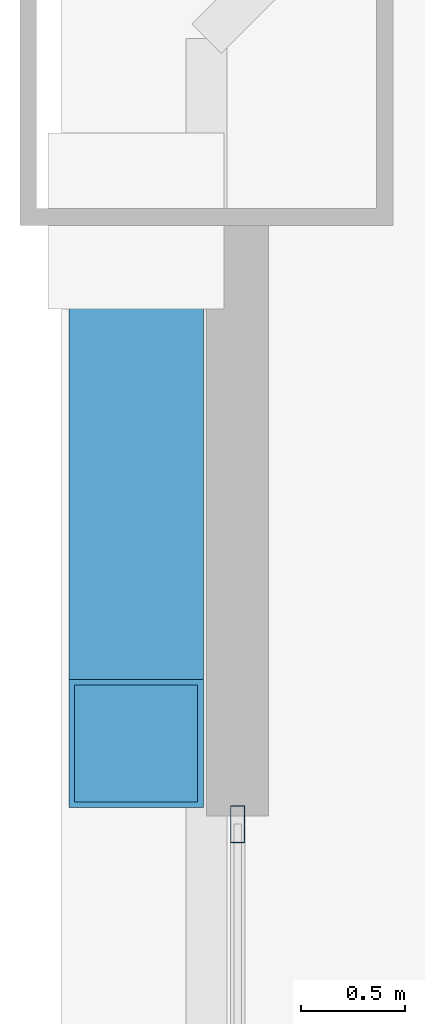
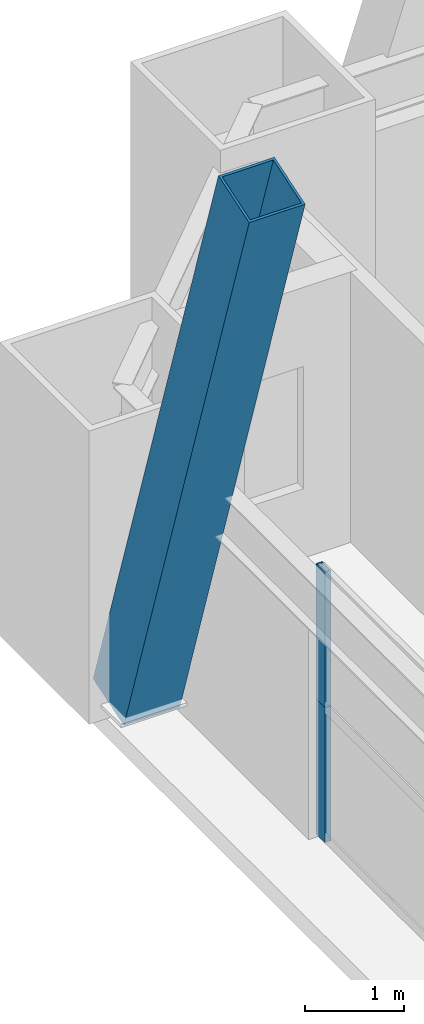
# One storey, part 24 of 43: 3 members, 1 element without a shape of its own.
"""IFC4 building model written with IfcOpenShell, lengths in metres."""

from ifc_helpers import new_model, si_unit, direction, frame, origin, origin_2d, place, context, subcontext, project, spatial, hollow_rectangle, extrude, source, transform, mapped, material, layer, layer_set, material_profile, profile_set, type_object, element, aggregate, save


model = new_model("IFC4")

# Units and contexts
model_context = context("Model", 3, precision=1e-05, world=origin(), true_north=direction((0.0, 1.0)))
body_context = subcontext(model_context, "Body", "Model", "MODEL_VIEW")
ifc_project = project(units=[si_unit("LENGTHUNIT", "METRE"), si_unit("AREAUNIT", "SQUARE_METRE"), si_unit("VOLUMEUNIT", "CUBIC_METRE"), si_unit("PLANEANGLEUNIT", "RADIAN"), si_unit("MASSUNIT", "GRAM", prefix="KILO"), si_unit("THERMODYNAMICTEMPERATUREUNIT", "KELVIN"), si_unit("POWERUNIT", "WATT")], contexts=[model_context])

# Site, building, storey
site_placement = place(None, origin())
site = spatial("IfcSite", under=ifc_project, at=site_placement, CompositionType="ELEMENT")
building_placement = place(site_placement, origin())
building = spatial("IfcBuilding", under=site, at=building_placement, Name="Yuzanri Waterfront Tower", CompositionType="ELEMENT")
storey_placement = place(building_placement, frame((0.0, 0.0, 37.800048828125)))
storey = spatial("IfcBuildingStorey", under=building, at=storey_placement, Name="L09", CompositionType="ELEMENT", Elevation=37.800048828125)

# Member
ifc_material_1 = material(Name="Steel Q420GJC", Category="steel")
ifc_material_profile_1 = material_profile(ifc_material_1, hollow_rectangle(XDim=0.64990234375, YDim=0.64990234375, WallThickness=0.028076171875, at=origin_2d()), Name="RHS 650x650x28")
ifc_profile_set_1 = profile_set([ifc_material_profile_1], Name="Steel Q420GJC")
member_type_1 = type_object("IfcMemberType", Name="Mega Brace Lower Q420GJC RHS 650x650x28", PredefinedType="BRACE", material=ifc_profile_set_1)
shared_shape_1 = source(origin(), body_context, "Body", "SweptSolid", [
    extrude(hollow_rectangle(XDim=0.64990234375, YDim=0.64990234375, WallThickness=0.028076171875, at=origin_2d()), origin(), (0.0, 0.0, 1.0), 8.101806640625),
])
member_1_placement = place(storey_placement, frame((11.56005859375, 46.419921875, 0.179931640625), z_axis=(0.0, -0.311043019491, 0.950395833338), x_axis=(1.0, 0.0, 0.0)))
element("IfcMember", 1, at=member_1_placement, inside=storey, type_object=member_type_1, Name="L09-L10 Perimeter Mega-Brace W-R", PredefinedType="BRACE", context=body_context, shape_type="MappedRepresentation", body=[
    mapped(shared_shape_1, transform((0.0, 0.0, 0.0), scale=1.0)),
])

# Curtain wall, members
ifc_material_2 = material(Name="Anodized Architectural Bronze", Category="metal")
ifc_layer = layer(ifc_material_2, 0.159912109375)
ifc_layer_set = layer_set([ifc_layer], Name="Anodized Architectural Bronze")
curtain_wall_type = type_object("IfcCurtainWallType", Name="Anodized Bronze Hotel Lower-Tier Recessed Unitized Curtain Wall 8100", PredefinedType="NOTDEFINED", material=ifc_layer_set)
curtain_wall_placement = place(storey_placement, origin())
curtain_wall = element("IfcCurtainWall", 2, at=curtain_wall_placement, inside=storey, type_object=curtain_wall_type, Name="L09 Curtain Wall CW-L09-WR", PredefinedType="NOTDEFINED")
ifc_material_3 = material(Name="Anodized Architectural Bronze", Category="metal")
ifc_material_profile_2 = material_profile(ifc_material_3, hollow_rectangle(XDim=0.070068359375, YDim=0.179931640625, WallThickness=0.00390625, at=origin_2d()), Name="CWM 70x180")
ifc_profile_set_2 = profile_set([ifc_material_profile_2], Name="Anodized Architectural Bronze")
member_type_2 = type_object("IfcMemberType", Name="Anodized Bronze Standard Curtain-Wall Mullion 70x180", PredefinedType="MULLION", material=ifc_profile_set_2)
shared_shape_2 = source(origin(), body_context, "Body", "SweptSolid", [
    extrude(hollow_rectangle(XDim=0.070068359375, YDim=0.179931640625, WallThickness=0.00390625, at=origin_2d()), origin(), (0.0, 0.0, 1.0), 1.657958984375),
])
member_2_placement = place(storey_placement, frame((12.050048828125, 43.510009765625, 0.0), z_axis=(0.0, 0.0, 1.0), x_axis=(1.0, 0.0, 0.0)))
member_2 = element("IfcMember", 3, at=member_2_placement, type_object=member_type_2, Name="CW-L09-WR Lower Mullion 02", PredefinedType="MULLION", context=body_context, shape_type="MappedRepresentation", body=[
    mapped(shared_shape_2, transform((0.0, 0.0, 0.0), scale=1.0)),
])
shared_shape_3 = source(origin(), body_context, "Body", "SweptSolid", [
    extrude(hollow_rectangle(XDim=0.070068359375, YDim=0.179931640625, WallThickness=0.00390625, at=origin_2d()), origin(), (0.0, 0.0, 1.0), 1.658203125),
])
member_3_placement = place(storey_placement, frame((12.050048828125, 43.510009765625, 1.661865234375), z_axis=(0.0, 0.0, 1.0), x_axis=(1.0, 0.0, 0.0)))
member_3 = element("IfcMember", 4, at=member_3_placement, type_object=member_type_2, Name="CW-L09-WR Upper Mullion 02", PredefinedType="MULLION", context=body_context, shape_type="MappedRepresentation", body=[
    mapped(shared_shape_3, transform((0.0, 0.0, 0.0), scale=1.0)),
])
aggregate(curtain_wall, [member_2, member_3])

save(model, "model.ifc")
